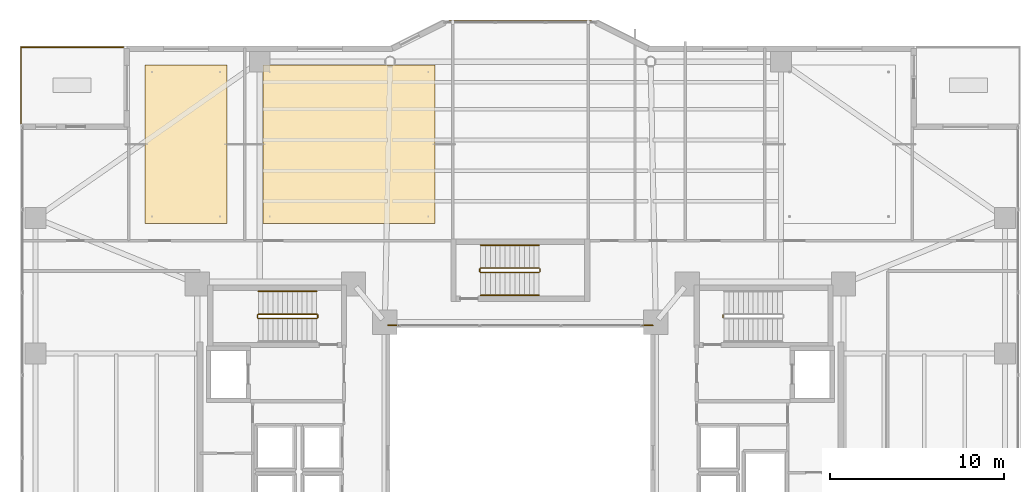
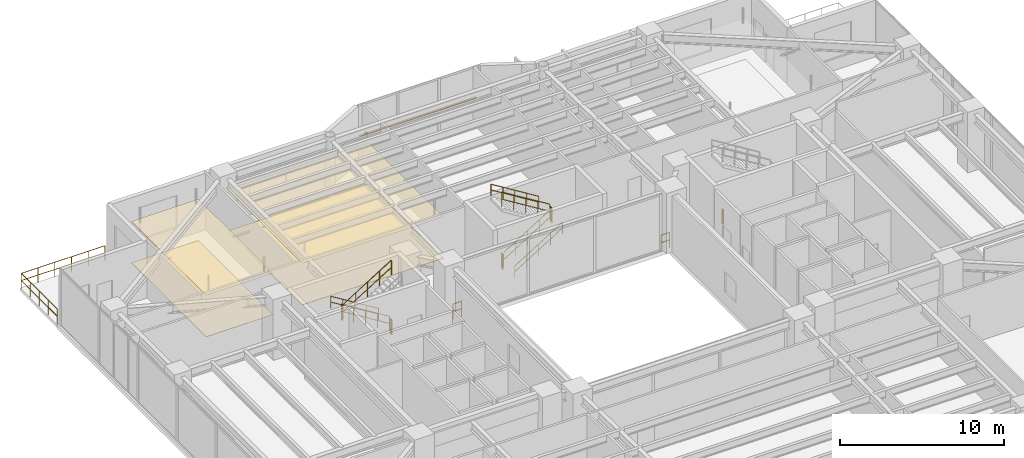
# One storey, part 39 of 40: 16 railings, 4 coverings, 1 shading device.
"""IFC4 building model written with IfcOpenShell, lengths in metres."""

from ifc_helpers import new_model, si_unit, direction, frame, origin, origin_2d, place, context, subcontext, project, spatial, polyline, rectangle, circle, outline, extrude, material, layer, layer_set, material_profile, profile_set, type_object, element, save


model = new_model("IFC4")

# Units and contexts
model_context = context("Model", 3, precision=1e-05, world=origin(), true_north=direction((0.0, 1.0)))
body_context = subcontext(model_context, "Body", "Model", "MODEL_VIEW")
ifc_project = project(units=[si_unit("LENGTHUNIT", "METRE"), si_unit("AREAUNIT", "SQUARE_METRE"), si_unit("VOLUMEUNIT", "CUBIC_METRE"), si_unit("PLANEANGLEUNIT", "RADIAN"), si_unit("MASSUNIT", "GRAM", prefix="KILO")], contexts=[model_context])

# Site, building, storey
site_placement = place(None, origin())
site = spatial("IfcSite", under=ifc_project, at=site_placement, CompositionType="ELEMENT")
building_placement = place(site_placement, origin())
building = spatial("IfcBuilding", under=site, at=building_placement, Name="Tarnavaz Court Tower", CompositionType="ELEMENT")
storey_placement = place(building_placement, frame((0.0, 0.0, 64.199951171875)))
storey = spatial("IfcBuildingStorey", under=building, at=storey_placement, Name="L17", CompositionType="ELEMENT", Elevation=64.199951171875)

# Coverings
ifc_material_1 = material(Name="Perforated Gypsum Acoustic Ceiling Tile", Category="masonry")
ifc_layer_1 = layer(ifc_material_1, 0.02490234375)
ifc_layer_set_1 = layer_set([ifc_layer_1], Name="Perforated Gypsum Acoustic Ceiling Tile")
covering_type_1 = type_object("IfcCoveringType", Name="CV-CEIL-AC", PredefinedType="CEILING", material=ifc_layer_set_1)
covering_1_placement = place(storey_placement, frame((0.0, 0.0, 3.080078125)))
element("IfcCovering", 1, at=covering_1_placement, inside=storey, type_object=covering_type_1, Name="L17 L17 Community Banquet Assembly Hall Suspended Acoustic Ceiling", PredefinedType="CEILING", context=body_context, shape_type="SweptSolid", body=[
    extrude(outline(polyline([(-21.60009765625, 13.5), (-16.884033203125, 13.5), (-16.884033203125, 22.60009765625), (-21.60009765625, 22.60009765625), (-21.60009765625, 13.5)])), origin(), (0.0, 0.0, 1.0), 0.02490234375),
])
covering_2_placement = place(storey_placement, frame((0.0, 0.0, 3.080078125)))
element("IfcCovering", 2, at=covering_2_placement, inside=storey, type_object=covering_type_1, Name="L17 L17 Resident Study Library Suspended Acoustic Ceiling", PredefinedType="CEILING", context=body_context, shape_type="SweptSolid", body=[
    extrude(outline(polyline([(-14.823974609375, 13.5), (-4.89990234375, 13.5), (-4.89990234375, 22.60009765625), (-14.823974609375, 22.60009765625), (-14.823974609375, 13.5)])), origin(), (0.0, 0.0, 1.0), 0.02490234375),
])
ifc_material_2 = material(Name="Glazed Khorasan Porcelain Floor Tile", Category="masonry")
ifc_layer_2 = layer(ifc_material_2, 0.02001953125)
ifc_layer_set_2 = layer_set([ifc_layer_2], Name="Glazed Khorasan Porcelain Floor Tile")
covering_type_2 = type_object("IfcCoveringType", Name="CV-FLR-PORC", PredefinedType="FLOORING", material=ifc_layer_set_2)
covering_3_placement = place(storey_placement, origin())
element("IfcCovering", 3, at=covering_3_placement, inside=storey, type_object=covering_type_2, Name="L17 L17 Community Banquet Assembly Hall Porcelain Floor Finish", PredefinedType="FLOORING", context=body_context, shape_type="SweptSolid", body=[
    extrude(outline(polyline([(-21.60009765625, 13.5), (-16.884033203125, 13.5), (-16.884033203125, 22.60009765625), (-21.60009765625, 22.60009765625), (-21.60009765625, 13.5)])), origin(), (0.0, 0.0, 1.0), 0.02001953125),
])
covering_4_placement = place(storey_placement, origin())
element("IfcCovering", 4, at=covering_4_placement, inside=storey, type_object=covering_type_2, Name="L17 L17 Resident Study Library Porcelain Floor Finish", PredefinedType="FLOORING", context=body_context, shape_type="SweptSolid", body=[
    extrude(outline(polyline([(-14.823974609375, 13.5), (-4.89990234375, 13.5), (-4.89990234375, 22.60009765625), (-14.823974609375, 22.60009765625), (-14.823974609375, 13.5)])), origin(), (0.0, 0.0, 1.0), 0.02001953125),
])

# Railings
ifc_material_3 = material(Name="Anodised Aluminium 6063-T6 and Laminated Safety Glass", Category="aluminium")
railing_type_1 = type_object("IfcRailingType", Name="RL-BAL-1120", PredefinedType="BALUSTRADE", material=ifc_material_3)
for number, where, name in (
    (5, (7.6201171875, 7.6201171875, 0.0), "L17 Courtyard Corner Balustrade N-A"),
    (6, (-7.02001953125, 7.6201171875, 0.0), "L17 Courtyard Corner Balustrade N-B"),
):
    element("IfcRailing", number, at=place(storey_placement, frame(where)), inside=storey, type_object=railing_type_1, Name=name, PredefinedType="BALUSTRADE", context=body_context, shape_type="SweptSolid", body=[
        extrude(circle(Radius=0.02392578125, at=origin_2d()), frame((0.0, 0.0, 1.1259765625), z_axis=(-1.0, 0.0, 0.0), x_axis=(0.0, -1.0, 0.0)), (0.0, 0.0, 1.0), 0.60009765625),
        extrude(circle(Radius=0.02392578125, at=origin_2d()), frame((0.0, 0.0, 0.574951171875), z_axis=(-1.0, 0.0, 0.0), x_axis=(0.0, -1.0, 0.0)), (0.0, 0.0, 1.0), 0.60009765625),
        extrude(circle(Radius=0.02099609375, at=origin_2d()), origin(), (0.0, 0.0, 1.0), 1.101806640625),
        extrude(circle(Radius=0.02099609375, at=origin_2d()), frame((-0.60009765625, 0.0, 0.0)), (0.0, 0.0, 1.0), 1.101806640625),
    ])
railing_1_placement = place(storey_placement, frame((-22.860107421875, 23.639892578125, 0.0)))
element("IfcRailing", 7, at=railing_1_placement, inside=storey, type_object=railing_type_1, Name="L17 Terrace 2 N Perimeter Balustrade", PredefinedType="BALUSTRADE", context=body_context, shape_type="SweptSolid", body=[
    extrude(circle(Radius=0.02392578125, at=origin_2d()), frame((0.0, 0.0, 1.09619140625), z_axis=(-1.0, 0.0, 0.0), x_axis=(0.0, -1.0, 0.0)), (0.0, 0.0, 1.0), 5.8798828125),
    extrude(circle(Radius=0.02392578125, at=origin_2d()), frame((0.0, 0.0, 0.56005859375), z_axis=(-1.0, 0.0, 0.0), x_axis=(0.0, -1.0, 0.0)), (0.0, 0.0, 1.0), 5.8798828125),
    extrude(circle(Radius=0.02099609375, at=origin_2d()), origin(), (0.0, 0.0, 1.0), 1.072021484375),
    extrude(circle(Radius=0.02099609375, at=origin_2d()), frame((-1.176025390625, 0.0, 0.0)), (0.0, 0.0, 1.0), 1.072021484375),
    extrude(circle(Radius=0.02099609375, at=origin_2d()), frame((-2.35205078125, 0.0, 0.0)), (0.0, 0.0, 1.0), 1.072021484375),
    extrude(circle(Radius=0.02099609375, at=origin_2d()), frame((-3.52783203125, 0.0, 0.0)), (0.0, 0.0, 1.0), 1.072021484375),
    extrude(circle(Radius=0.02099609375, at=origin_2d()), frame((-4.703857421875, 0.0, 0.0)), (0.0, 0.0, 1.0), 1.072021484375),
    extrude(circle(Radius=0.02099609375, at=origin_2d()), frame((-5.8798828125, 0.0, 0.0)), (0.0, 0.0, 1.0), 1.072021484375),
])
railing_2_placement = place(storey_placement, frame((-28.739990234375, 23.639892578125, 0.0)))
element("IfcRailing", 8, at=railing_2_placement, inside=storey, type_object=railing_type_1, Name="L17 Terrace 2 W Perimeter Balustrade", PredefinedType="BALUSTRADE", context=body_context, shape_type="SweptSolid", body=[
    extrude(circle(Radius=0.02392578125, at=origin_2d()), frame((0.0, 0.0, 1.09619140625), z_axis=(0.0, -1.0, 0.0), x_axis=(1.0, 0.0, 0.0)), (0.0, 0.0, 1.0), 4.3798828125),
    extrude(circle(Radius=0.02392578125, at=origin_2d()), frame((0.0, 0.0, 0.56005859375), z_axis=(0.0, -1.0, 0.0), x_axis=(1.0, 0.0, 0.0)), (0.0, 0.0, 1.0), 4.3798828125),
    extrude(circle(Radius=0.02099609375, at=origin_2d()), origin(), (0.0, 0.0, 1.0), 1.072021484375),
    extrude(circle(Radius=0.02099609375, at=origin_2d()), frame((0.0, -1.094970703125, 0.0)), (0.0, 0.0, 1.0), 1.072021484375),
    extrude(circle(Radius=0.02099609375, at=origin_2d()), frame((0.0, -2.18994140625, 0.0)), (0.0, 0.0, 1.0), 1.072021484375),
    extrude(circle(Radius=0.02099609375, at=origin_2d()), frame((0.0, -3.284912109375, 0.0)), (0.0, 0.0, 1.0), 1.072021484375),
    extrude(circle(Radius=0.02099609375, at=origin_2d()), frame((0.0, -4.3798828125, 0.0)), (0.0, 0.0, 1.0), 1.072021484375),
])
ifc_material_4 = material(Name="Brushed Stainless Steel", Category="steel")
railing_type_2 = type_object("IfcRailingType", Name="RL-HANDRAIL-900", PredefinedType="HANDRAIL", material=ifc_material_4)
railing_3_placement = place(storey_placement, frame((-11.719970703125, 9.590087890625, 0.173095703125)))
element("IfcRailing", 9, at=railing_3_placement, inside=storey, type_object=railing_type_2, Name="L17 ST-W1 stair handrail 1", PredefinedType="HANDRAIL", context=body_context, shape_type="SweptSolid", body=[
    extrude(circle(Radius=0.02392578125, at=origin_2d()), frame((0.0, 0.0, 0.8759765625), z_axis=(-0.850623216509, 0.0, 0.525775754039), x_axis=(0.0, -1.0, 0.0)), (0.0, 0.0, 1.0), 3.9501953125),
    extrude(circle(Radius=0.02392578125, at=origin_2d()), frame((0.0, 0.0, 0.449951171875), z_axis=(-0.850623216509, 0.0, 0.525775754039), x_axis=(0.0, -1.0, 0.0)), (0.0, 0.0, 1.0), 3.9501953125),
    extrude(circle(Radius=0.02099609375, at=origin_2d()), origin(), (0.0, 0.0, 1.0), 0.851806640625),
    extrude(circle(Radius=0.02099609375, at=origin_2d()), frame((-0.840087890625, 0.0, 0.519287109375)), (0.0, 0.0, 1.0), 0.851806640625),
    extrude(circle(Radius=0.02099609375, at=origin_2d()), frame((-1.68017578125, 0.0, 1.03857421875)), (0.0, 0.0, 1.0), 0.851806640625),
    extrude(circle(Radius=0.02099609375, at=origin_2d()), frame((-2.52001953125, 0.0, 1.5576171875)), (0.0, 0.0, 1.0), 0.851806640625),
    extrude(circle(Radius=0.02099609375, at=origin_2d()), frame((-3.360107421875, 0.0, 2.076904296875)), (0.0, 0.0, 1.0), 0.851806640625),
])
railing_4_placement = place(storey_placement, frame((-2.280029296875, 9.35009765625, 0.173095703125)))
element("IfcRailing", 10, at=railing_4_placement, inside=storey, type_object=railing_type_2, Name="L17 ST-N1 stair handrail 1", PredefinedType="HANDRAIL", context=body_context, shape_type="SweptSolid", body=[
    extrude(circle(Radius=0.02392578125, at=origin_2d()), frame((0.0, 0.0, 0.8759765625), z_axis=(0.850623216509, 0.0, 0.525775754039), x_axis=(0.0, 1.0, 0.0)), (0.0, 0.0, 1.0), 3.9501953125),
    extrude(circle(Radius=0.02392578125, at=origin_2d()), frame((0.0, 0.0, 0.449951171875), z_axis=(0.850623216509, 0.0, 0.525775754039), x_axis=(0.0, 1.0, 0.0)), (0.0, 0.0, 1.0), 3.9501953125),
    extrude(circle(Radius=0.02099609375, at=origin_2d()), origin(), (0.0, 0.0, 1.0), 0.851806640625),
    extrude(circle(Radius=0.02099609375, at=origin_2d()), frame((0.840087890625, 0.0, 0.519287109375)), (0.0, 0.0, 1.0), 0.851806640625),
    extrude(circle(Radius=0.02099609375, at=origin_2d()), frame((1.68017578125, 0.0, 1.03857421875)), (0.0, 0.0, 1.0), 0.851806640625),
    extrude(circle(Radius=0.02099609375, at=origin_2d()), frame((2.52001953125, 0.0, 1.5576171875)), (0.0, 0.0, 1.0), 0.851806640625),
    extrude(circle(Radius=0.02099609375, at=origin_2d()), frame((3.360107421875, 0.0, 2.076904296875)), (0.0, 0.0, 1.0), 0.851806640625),
])
railing_5_placement = place(storey_placement, frame((1.080078125, 12.239990234375, 2.423095703125)))
element("IfcRailing", 11, at=railing_5_placement, inside=storey, type_object=railing_type_2, Name="L17 ST-N1 stair handrail 2", PredefinedType="HANDRAIL", context=body_context, shape_type="SweptSolid", body=[
    extrude(circle(Radius=0.02392578125, at=origin_2d()), frame((0.0, 0.0, 0.8759765625), z_axis=(-0.850623216509, 0.0, 0.525775754039), x_axis=(0.0, -1.0, 0.0)), (0.0, 0.0, 1.0), 3.9501953125),
    extrude(circle(Radius=0.02392578125, at=origin_2d()), frame((0.0, 0.0, 0.449951171875), z_axis=(-0.850623216509, 0.0, 0.525775754039), x_axis=(0.0, -1.0, 0.0)), (0.0, 0.0, 1.0), 3.9501953125),
    extrude(circle(Radius=0.02099609375, at=origin_2d()), origin(), (0.0, 0.0, 1.0), 0.851806640625),
    extrude(circle(Radius=0.02099609375, at=origin_2d()), frame((-0.840087890625, 0.0, 0.519287109375)), (0.0, 0.0, 1.0), 0.851806640625),
    extrude(circle(Radius=0.02099609375, at=origin_2d()), frame((-1.68017578125, 0.0, 1.03857421875)), (0.0, 0.0, 1.0), 0.851806640625),
    extrude(circle(Radius=0.02099609375, at=origin_2d()), frame((-2.52001953125, 0.0, 1.5576171875)), (0.0, 0.0, 1.0), 0.851806640625),
    extrude(circle(Radius=0.02099609375, at=origin_2d()), frame((-3.360107421875, 0.0, 2.076904296875)), (0.0, 0.0, 1.0), 0.851806640625),
])
ifc_material_5 = material(Name="Galvanized Painted Tubular Steel", Category="steel")
railing_type_3 = type_object("IfcRailingType", Name="RL-STGUARD-1120", PredefinedType="GUARDRAIL", material=ifc_material_5)
railing_6_placement = place(storey_placement, frame((-11.719970703125, 8.27001953125, 0.173095703125)))
element("IfcRailing", 12, at=railing_6_placement, inside=storey, type_object=railing_type_3, Name="L17 ST-W1 stair guard 1", PredefinedType="GUARDRAIL", context=body_context, shape_type="SweptSolid", body=[
    extrude(circle(Radius=0.02392578125, at=origin_2d()), frame((0.0, 0.0, 1.09619140625), z_axis=(-0.850623216509, 0.0, 0.525775754039), x_axis=(0.0, -1.0, 0.0)), (0.0, 0.0, 1.0), 3.9501953125),
    extrude(circle(Radius=0.02392578125, at=origin_2d()), frame((0.0, 0.0, 0.56005859375), z_axis=(-0.850623216509, 0.0, 0.525775754039), x_axis=(0.0, -1.0, 0.0)), (0.0, 0.0, 1.0), 3.9501953125),
    extrude(circle(Radius=0.02099609375, at=origin_2d()), origin(), (0.0, 0.0, 1.0), 1.072021484375),
    extrude(circle(Radius=0.02099609375, at=origin_2d()), frame((-0.840087890625, 0.0, 0.519287109375)), (0.0, 0.0, 1.0), 1.072021484375),
    extrude(circle(Radius=0.02099609375, at=origin_2d()), frame((-1.68017578125, 0.0, 1.03857421875)), (0.0, 0.0, 1.0), 1.072021484375),
    extrude(circle(Radius=0.02099609375, at=origin_2d()), frame((-2.52001953125, 0.0, 1.5576171875)), (0.0, 0.0, 1.0), 1.072021484375),
    extrude(circle(Radius=0.02099609375, at=origin_2d()), frame((-3.360107421875, 0.0, 2.076904296875)), (0.0, 0.0, 1.0), 1.072021484375),
])
railing_7_placement = place(storey_placement, frame((-15.1298828125, 8.219970703125, 2.25)))
element("IfcRailing", 13, at=railing_7_placement, inside=storey, type_object=railing_type_3, Name="L17 ST-W1 stair guard 2", PredefinedType="GUARDRAIL", context=body_context, shape_type="SweptSolid", body=[
    extrude(circle(Radius=0.02392578125, at=origin_2d()), frame((0.0, 0.0, 1.09619140625), z_axis=(0.0, -1.0, 0.0), x_axis=(1.0, 0.0, 0.0)), (0.0, 0.0, 1.0), 0.14990234375),
    extrude(circle(Radius=0.02392578125, at=origin_2d()), frame((0.0, 0.0, 0.56005859375), z_axis=(0.0, -1.0, 0.0), x_axis=(1.0, 0.0, 0.0)), (0.0, 0.0, 1.0), 0.14990234375),
    extrude(circle(Radius=0.02099609375, at=origin_2d()), origin(), (0.0, 0.0, 1.0), 1.072021484375),
    extrude(circle(Radius=0.02099609375, at=origin_2d()), frame((0.0, -0.14990234375, 0.0)), (0.0, 0.0, 1.0), 1.072021484375),
])
railing_8_placement = place(storey_placement, frame((-15.080078125, 8.02001953125, 2.423095703125)))
element("IfcRailing", 14, at=railing_8_placement, inside=storey, type_object=railing_type_3, Name="L17 ST-W1 stair guard 3", PredefinedType="GUARDRAIL", context=body_context, shape_type="SweptSolid", body=[
    extrude(circle(Radius=0.02392578125, at=origin_2d()), frame((0.0, 0.0, 1.09619140625), z_axis=(0.850623216509, 0.0, 0.525775754039), x_axis=(0.0, 1.0, 0.0)), (0.0, 0.0, 1.0), 3.9501953125),
    extrude(circle(Radius=0.02392578125, at=origin_2d()), frame((0.0, 0.0, 0.56005859375), z_axis=(0.850623216509, 0.0, 0.525775754039), x_axis=(0.0, 1.0, 0.0)), (0.0, 0.0, 1.0), 3.9501953125),
    extrude(circle(Radius=0.02099609375, at=origin_2d()), origin(), (0.0, 0.0, 1.0), 1.072021484375),
    extrude(circle(Radius=0.02099609375, at=origin_2d()), frame((0.840087890625, 0.0, 0.519287109375)), (0.0, 0.0, 1.0), 1.072021484375),
    extrude(circle(Radius=0.02099609375, at=origin_2d()), frame((1.68017578125, 0.0, 1.03857421875)), (0.0, 0.0, 1.0), 1.072021484375),
    extrude(circle(Radius=0.02099609375, at=origin_2d()), frame((2.52001953125, 0.0, 1.5576171875)), (0.0, 0.0, 1.0), 1.072021484375),
    extrude(circle(Radius=0.02099609375, at=origin_2d()), frame((3.360107421875, 0.0, 2.076904296875)), (0.0, 0.0, 1.0), 1.072021484375),
])
railing_9_placement = place(storey_placement, frame((-11.669921875, 8.219970703125, 0.0)))
element("IfcRailing", 15, at=railing_9_placement, inside=storey, type_object=railing_type_3, Name="L17 ST-W1 stair guard 4", PredefinedType="GUARDRAIL", context=body_context, shape_type="SweptSolid", body=[
    extrude(circle(Radius=0.02392578125, at=origin_2d()), frame((0.0, 0.0, 1.09619140625), z_axis=(0.0, -1.0, 0.0), x_axis=(1.0, 0.0, 0.0)), (0.0, 0.0, 1.0), 0.14990234375),
    extrude(circle(Radius=0.02392578125, at=origin_2d()), frame((0.0, 0.0, 0.56005859375), z_axis=(0.0, -1.0, 0.0), x_axis=(1.0, 0.0, 0.0)), (0.0, 0.0, 1.0), 0.14990234375),
    extrude(circle(Radius=0.02099609375, at=origin_2d()), origin(), (0.0, 0.0, 1.0), 1.072021484375),
    extrude(circle(Radius=0.02099609375, at=origin_2d()), frame((0.0, -0.14990234375, 0.0)), (0.0, 0.0, 1.0), 1.072021484375),
])
railing_10_placement = place(storey_placement, frame((11.669921875, 8.070068359375, 0.0)))
element("IfcRailing", 16, at=railing_10_placement, inside=storey, type_object=railing_type_3, Name="L17 ST-E1 stair guard 4", PredefinedType="GUARDRAIL", context=body_context, shape_type="SweptSolid", body=[
    extrude(circle(Radius=0.02392578125, at=origin_2d()), frame((0.0, 0.0, 1.09619140625), z_axis=(0.0, 1.0, 0.0), x_axis=(-1.0, 0.0, 0.0)), (0.0, 0.0, 1.0), 0.14990234375),
    extrude(circle(Radius=0.02392578125, at=origin_2d()), frame((0.0, 0.0, 0.56005859375), z_axis=(0.0, 1.0, 0.0), x_axis=(-1.0, 0.0, 0.0)), (0.0, 0.0, 1.0), 0.14990234375),
    extrude(circle(Radius=0.02099609375, at=origin_2d()), origin(), (0.0, 0.0, 1.0), 1.072021484375),
    extrude(circle(Radius=0.02099609375, at=origin_2d()), frame((0.0, 0.14990234375, 0.0)), (0.0, 0.0, 1.0), 1.072021484375),
])
railing_11_placement = place(storey_placement, frame((-2.280029296875, 10.669921875, 0.173095703125)))
element("IfcRailing", 17, at=railing_11_placement, inside=storey, type_object=railing_type_3, Name="L17 ST-N1 stair guard 1", PredefinedType="GUARDRAIL", context=body_context, shape_type="SweptSolid", body=[
    extrude(circle(Radius=0.02392578125, at=origin_2d()), frame((0.0, 0.0, 1.09619140625), z_axis=(0.850623216509, 0.0, 0.525775754039), x_axis=(0.0, 1.0, 0.0)), (0.0, 0.0, 1.0), 3.9501953125),
    extrude(circle(Radius=0.02392578125, at=origin_2d()), frame((0.0, 0.0, 0.56005859375), z_axis=(0.850623216509, 0.0, 0.525775754039), x_axis=(0.0, 1.0, 0.0)), (0.0, 0.0, 1.0), 3.9501953125),
    extrude(circle(Radius=0.02099609375, at=origin_2d()), origin(), (0.0, 0.0, 1.0), 1.072021484375),
    extrude(circle(Radius=0.02099609375, at=origin_2d()), frame((0.840087890625, 0.0, 0.519287109375)), (0.0, 0.0, 1.0), 1.072021484375),
    extrude(circle(Radius=0.02099609375, at=origin_2d()), frame((1.68017578125, 0.0, 1.03857421875)), (0.0, 0.0, 1.0), 1.072021484375),
    extrude(circle(Radius=0.02099609375, at=origin_2d()), frame((2.52001953125, 0.0, 1.5576171875)), (0.0, 0.0, 1.0), 1.072021484375),
    extrude(circle(Radius=0.02099609375, at=origin_2d()), frame((3.360107421875, 0.0, 2.076904296875)), (0.0, 0.0, 1.0), 1.072021484375),
])
railing_12_placement = place(storey_placement, frame((1.1298828125, 10.719970703125, 2.25)))
element("IfcRailing", 18, at=railing_12_placement, inside=storey, type_object=railing_type_3, Name="L17 ST-N1 stair guard 2", PredefinedType="GUARDRAIL", context=body_context, shape_type="SweptSolid", body=[
    extrude(circle(Radius=0.02392578125, at=origin_2d()), frame((0.0, 0.0, 1.09619140625), z_axis=(0.0, 1.0, 0.0), x_axis=(-1.0, 0.0, 0.0)), (0.0, 0.0, 1.0), 0.150146484375),
    extrude(circle(Radius=0.02392578125, at=origin_2d()), frame((0.0, 0.0, 0.56005859375), z_axis=(0.0, 1.0, 0.0), x_axis=(-1.0, 0.0, 0.0)), (0.0, 0.0, 1.0), 0.150146484375),
    extrude(circle(Radius=0.02099609375, at=origin_2d()), origin(), (0.0, 0.0, 1.0), 1.072021484375),
    extrude(circle(Radius=0.02099609375, at=origin_2d()), frame((0.0, 0.150146484375, 0.0)), (0.0, 0.0, 1.0), 1.072021484375),
])
railing_13_placement = place(storey_placement, frame((1.080078125, 10.919921875, 2.423095703125)))
element("IfcRailing", 19, at=railing_13_placement, inside=storey, type_object=railing_type_3, Name="L17 ST-N1 stair guard 3", PredefinedType="GUARDRAIL", context=body_context, shape_type="SweptSolid", body=[
    extrude(circle(Radius=0.02392578125, at=origin_2d()), frame((0.0, 0.0, 1.09619140625), z_axis=(-0.850623216509, 0.0, 0.525775754039), x_axis=(0.0, -1.0, 0.0)), (0.0, 0.0, 1.0), 3.9501953125),
    extrude(circle(Radius=0.02392578125, at=origin_2d()), frame((0.0, 0.0, 0.56005859375), z_axis=(-0.850623216509, 0.0, 0.525775754039), x_axis=(0.0, -1.0, 0.0)), (0.0, 0.0, 1.0), 3.9501953125),
    extrude(circle(Radius=0.02099609375, at=origin_2d()), origin(), (0.0, 0.0, 1.0), 1.072021484375),
    extrude(circle(Radius=0.02099609375, at=origin_2d()), frame((-0.840087890625, 0.0, 0.519287109375)), (0.0, 0.0, 1.0), 1.072021484375),
    extrude(circle(Radius=0.02099609375, at=origin_2d()), frame((-1.68017578125, 0.0, 1.03857421875)), (0.0, 0.0, 1.0), 1.072021484375),
    extrude(circle(Radius=0.02099609375, at=origin_2d()), frame((-2.52001953125, 0.0, 1.5576171875)), (0.0, 0.0, 1.0), 1.072021484375),
    extrude(circle(Radius=0.02099609375, at=origin_2d()), frame((-3.360107421875, 0.0, 2.076904296875)), (0.0, 0.0, 1.0), 1.072021484375),
])
railing_14_placement = place(storey_placement, frame((-2.330078125, 10.719970703125, 0.0)))
element("IfcRailing", 20, at=railing_14_placement, inside=storey, type_object=railing_type_3, Name="L17 ST-N1 stair guard 4", PredefinedType="GUARDRAIL", context=body_context, shape_type="SweptSolid", body=[
    extrude(circle(Radius=0.02392578125, at=origin_2d()), frame((0.0, 0.0, 1.09619140625), z_axis=(0.0, 1.0, 0.0), x_axis=(-1.0, 0.0, 0.0)), (0.0, 0.0, 1.0), 0.150146484375),
    extrude(circle(Radius=0.02392578125, at=origin_2d()), frame((0.0, 0.0, 0.56005859375), z_axis=(0.0, 1.0, 0.0), x_axis=(-1.0, 0.0, 0.0)), (0.0, 0.0, 1.0), 0.150146484375),
    extrude(circle(Radius=0.02099609375, at=origin_2d()), origin(), (0.0, 0.0, 1.0), 1.072021484375),
    extrude(circle(Radius=0.02099609375, at=origin_2d()), frame((0.0, 0.150146484375, 0.0)), (0.0, 0.0, 1.0), 1.072021484375),
])

# Shading device
ifc_material_6 = material(Name="Kiln-Fired Khorasan Terracotta Ceramic", Category="masonry")
ifc_material_profile = material_profile(ifc_material_6, rectangle(XDim=0.1201171875, YDim=0.06005859375, at=origin_2d()), Name="TC BAGUETTE 120X60")
ifc_profile_set = profile_set([ifc_material_profile], Name="Kiln-Fired Khorasan Terracotta Ceramic")
shading_device_type = type_object("IfcShadingDeviceType", Name="SD-BAG-120", PredefinedType="USERDEFINED", material=ifc_profile_set)
shading_device_placement = place(storey_placement, frame((-4.10009765625, 25.110107421875, 1.800048828125), z_axis=(1.0, 0.0, 0.0), x_axis=(0.0, 1.0, 0.0)))
element("IfcShadingDevice", 21, at=shading_device_placement, inside=storey, type_object=shading_device_type, Name="L17 Terracotta Baguette Screen PBG7", ObjectType="BAGUETTE", PredefinedType="USERDEFINED", context=body_context, shape_type="SweptSolid", body=[
    extrude(rectangle(XDim=0.1201171875, YDim=0.06005859375, at=origin_2d()), origin(), (0.0, 0.0, 1.0), 8.2001953125),
])

save(model, "model.ifc")
